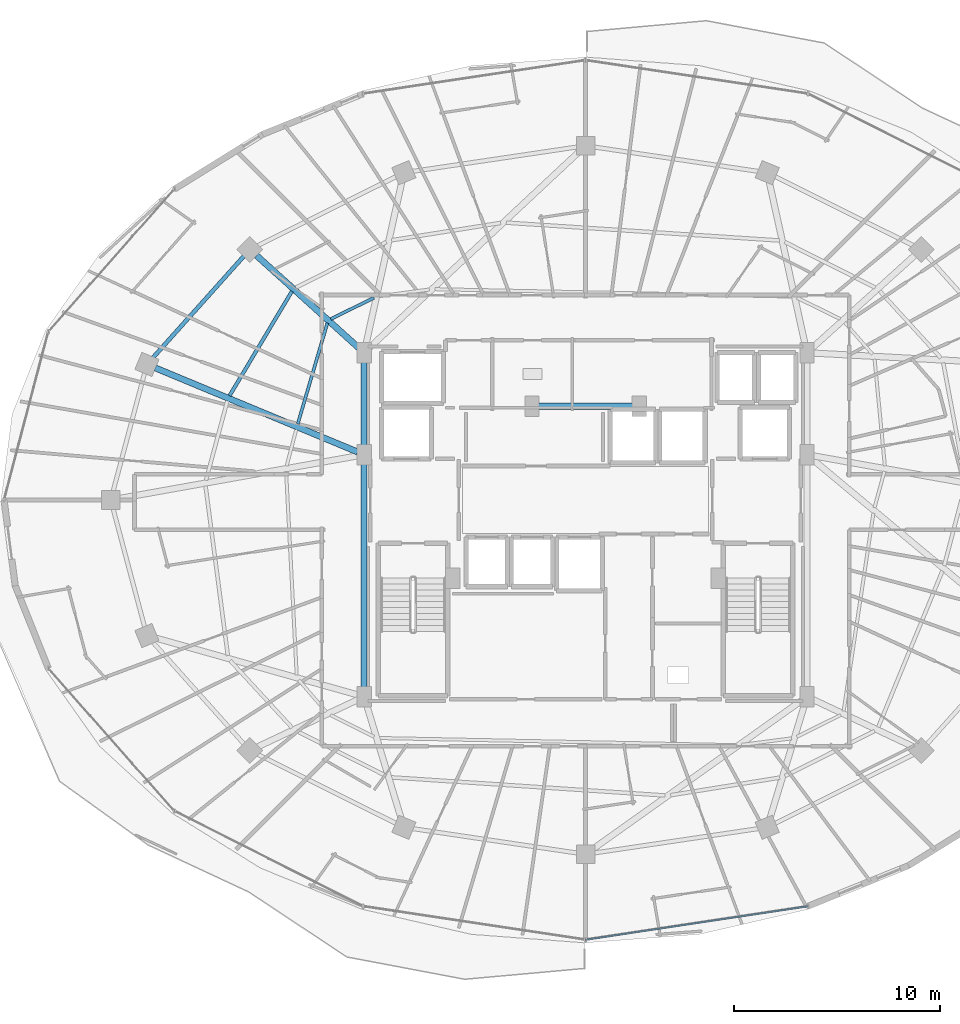
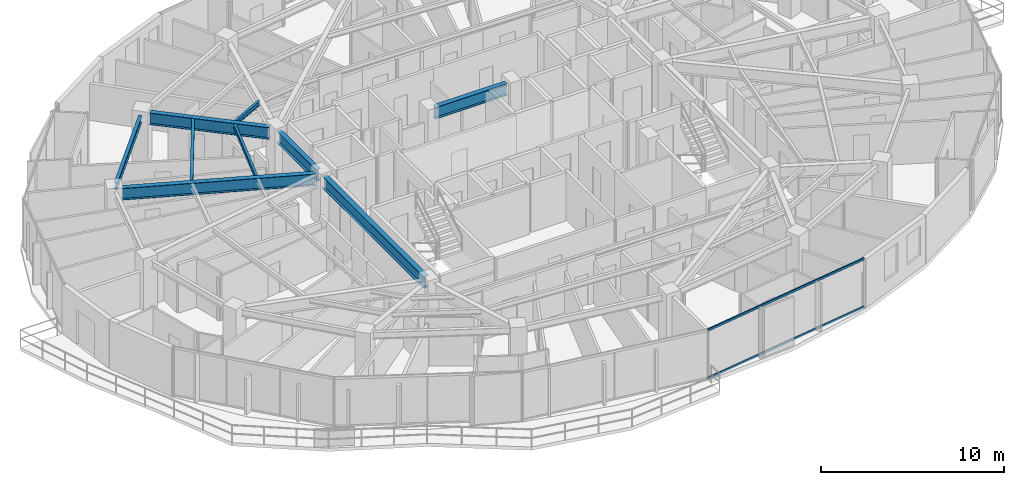
# One storey, part 10 of 33: 9 beams, 2 members, 1 element without a shape of its own.
"""IFC4 building model written with IfcOpenShell, lengths in metres."""

from ifc_helpers import new_model, si_unit, direction, frame, origin, origin_2d, place, context, subcontext, project, spatial, hollow_rectangle, i_section, extrude, material, material_profile, profile_set, type_object, element, aggregate, save


model = new_model("IFC4")

# Units and contexts
model_context = context("Model", 3, precision=1e-05, world=origin(), true_north=direction((0.0, 1.0)))
body_context = subcontext(model_context, "Body", "Model", "MODEL_VIEW")
ifc_project = project(units=[si_unit("LENGTHUNIT", "METRE"), si_unit("AREAUNIT", "SQUARE_METRE"), si_unit("VOLUMEUNIT", "CUBIC_METRE"), si_unit("PLANEANGLEUNIT", "RADIAN"), si_unit("MASSUNIT", "GRAM", prefix="KILO")], contexts=[model_context])

# Site, building, storey
site_placement = place(None, origin())
site = spatial("IfcSite", under=ifc_project, at=site_placement, CompositionType="ELEMENT")
building_placement = place(site_placement, origin())
building = spatial("IfcBuilding", under=site, at=building_placement, Name="Vorneva Point Tower", CompositionType="ELEMENT")
storey_placement = place(building_placement, frame((0.0, 0.0, 179.10009765625)))
storey = spatial("IfcBuildingStorey", under=building, at=storey_placement, Name="L48", CompositionType="ELEMENT", Elevation=179.10009765625)

# Beams
ifc_material_1 = material(Name="Steel S355", Category="steel")
ifc_material_profile_1 = material_profile(ifc_material_1, i_section(OverallWidth=0.300048828125, OverallDepth=0.7880859375, WebThickness=0.014404296875, FlangeThickness=0.02197265625, at=origin_2d()), Name="80Sh1")
ifc_profile_set_1 = profile_set([ifc_material_profile_1], Name="Steel S355")
beam_type_1 = type_object("IfcBeamType", Name="BM-GRD-80Sh1", PredefinedType="USERDEFINED", material=ifc_profile_set_1)
beam_1_placement = place(storey_placement, frame((22.026123046875, 37.86865234375, 2.845947265625), z_axis=(0.742089778537, -0.670300500217, 0.0), x_axis=(0.670300500217, 0.742089778537, 0.0)))
element("IfcBeam", 1, at=beam_1_placement, inside=storey, type_object=beam_type_1, Name="L48 Radial Primary Girder 07", ObjectType="GIRDER", PredefinedType="USERDEFINED", context=body_context, shape_type="SweptSolid", body=[
    extrude(i_section(OverallWidth=0.300048828125, OverallDepth=0.7880859375, WebThickness=0.014404296875, FlangeThickness=0.02197265625, at=origin_2d()), origin(), (0.0, 0.0, 1.0), 6.699462890625),
])
beam_2_placement = place(storey_placement, frame((17.109130859375, 32.4140625, 2.845947265625), z_axis=(0.923445067159, -0.383730645035, 0.0), x_axis=(0.383730645035, 0.923445067159, 0.0)))
element("IfcBeam", 2, at=beam_2_placement, inside=storey, type_object=beam_type_1, Name="L48 Radial Primary Girder 08", ObjectType="GIRDER", PredefinedType="USERDEFINED", context=body_context, shape_type="SweptSolid", body=[
    extrude(i_section(OverallWidth=0.300048828125, OverallDepth=0.7880859375, WebThickness=0.014404296875, FlangeThickness=0.02197265625, at=origin_2d()), origin(), (0.0, 0.0, 1.0), 10.6416015625),
])
beam_3_placement = place(storey_placement, frame((27.25, 16.77001953125, 2.845947265625), z_axis=(0.0, 1.0, 0.0), x_axis=(-1.0, 0.0, 0.0)))
element("IfcBeam", 3, at=beam_3_placement, inside=storey, type_object=beam_type_1, Name="L48 Core Tie Girder CT1", ObjectType="GIRDER", PredefinedType="USERDEFINED", context=body_context, shape_type="SweptSolid", body=[
    extrude(i_section(OverallWidth=0.300048828125, OverallDepth=0.7880859375, WebThickness=0.014404296875, FlangeThickness=0.02197265625, at=origin_2d()), origin(), (0.0, 0.0, 1.0), 11.10986328125),
])
beam_4_placement = place(storey_placement, frame((27.25, 28.52001953125, 2.845947265625), z_axis=(0.0, 1.0, 0.0), x_axis=(-1.0, 0.0, 0.0)))
element("IfcBeam", 4, at=beam_4_placement, inside=storey, type_object=beam_type_1, Name="L48 Core Tie Girder CT2", ObjectType="GIRDER", PredefinedType="USERDEFINED", context=body_context, shape_type="SweptSolid", body=[
    extrude(i_section(OverallWidth=0.300048828125, OverallDepth=0.7880859375, WebThickness=0.014404296875, FlangeThickness=0.02197265625, at=origin_2d()), origin(), (0.0, 0.0, 1.0), 4.31005859375),
])
beam_5_placement = place(storey_placement, frame((35.719970703125, 30.550048828125, 2.845947265625), z_axis=(1.0, 0.0, 0.0), x_axis=(0.0, 1.0, 0.0)))
element("IfcBeam", 5, at=beam_5_placement, inside=storey, type_object=beam_type_1, Name="L48 Core Tie Girder CT8", ObjectType="GIRDER", PredefinedType="USERDEFINED", context=body_context, shape_type="SweptSolid", body=[
    extrude(i_section(OverallWidth=0.300048828125, OverallDepth=0.7880859375, WebThickness=0.014404296875, FlangeThickness=0.02197265625, at=origin_2d()), origin(), (0.0, 0.0, 1.0), 4.56005859375),
])
ifc_material_profile_2 = material_profile(ifc_material_1, i_section(OverallWidth=0.14892578125, OverallDepth=0.298095703125, WebThickness=0.005615234375, FlangeThickness=0.008056640625, at=origin_2d()), Name="30B1")
ifc_profile_set_2 = profile_set([ifc_material_profile_2], Name="Steel S355")
beam_type_2 = type_object("IfcBeamType", Name="BM-JST-30B1", PredefinedType="JOIST", material=ifc_profile_set_2)
beam_6_placement = place(storey_placement, frame((27.727783203125, 35.8154296875, 3.0908203125), z_axis=(-0.897704429199, -0.440598181789, 0.0), x_axis=(0.440598181789, -0.897704429199, 0.0)))
element("IfcBeam", 6, at=beam_6_placement, inside=storey, type_object=beam_type_2, Name="L48 Secondary Floor Beam 2.06", PredefinedType="JOIST", context=body_context, shape_type="SweptSolid", body=[
    extrude(i_section(OverallWidth=0.14892578125, OverallDepth=0.298095703125, WebThickness=0.005615234375, FlangeThickness=0.008056640625, at=origin_2d()), origin(), (0.0, 0.0, 1.0), 2.336669921875),
])
beam_7_placement = place(storey_placement, frame((25.46728515625, 34.5927734375, 3.0908203125), z_axis=(-0.281778448701, -0.959479497357, 0.0), x_axis=(0.959479497357, -0.281778448701, 0.0)))
element("IfcBeam", 7, at=beam_7_placement, inside=storey, type_object=beam_type_2, Name="L48 Secondary Floor Beam 2.07", PredefinedType="JOIST", context=body_context, shape_type="SweptSolid", body=[
    extrude(i_section(OverallWidth=0.14892578125, OverallDepth=0.298095703125, WebThickness=0.005615234375, FlangeThickness=0.008056640625, at=origin_2d()), origin(), (0.0, 0.0, 1.0), 5.11181640625),
])
ifc_material_profile_3 = material_profile(ifc_material_1, i_section(OverallWidth=0.174072265625, OverallDepth=0.345947265625, WebThickness=0.006103515625, FlangeThickness=0.009033203125, at=origin_2d()), Name="35B1")
ifc_profile_set_3 = profile_set([ifc_material_profile_3], Name="Steel S355")
beam_type_3 = type_object("IfcBeamType", Name="BM-SEC-35B1", PredefinedType="BEAM", material=ifc_profile_set_3)
beam_8_placement = place(storey_placement, frame((23.7451171875, 36.133544921875, 3.06689453125), z_axis=(-0.512622198489, -0.858614279882, 0.0), x_axis=(0.858614279882, -0.512622198489, 0.0)))
element("IfcBeam", 8, at=beam_8_placement, inside=storey, type_object=beam_type_3, Name="L48 Secondary Floor Beam 1.07", PredefinedType="BEAM", context=body_context, shape_type="SweptSolid", body=[
    extrude(i_section(OverallWidth=0.174072265625, OverallDepth=0.345947265625, WebThickness=0.006103515625, FlangeThickness=0.009033203125, at=origin_2d()), origin(), (0.0, 0.0, 1.0), 5.906005859375),
])
ifc_material_profile_4 = material_profile(ifc_material_1, i_section(OverallWidth=0.198974609375, OverallDepth=0.446044921875, WebThickness=0.008056640625, FlangeThickness=0.011962890625, at=origin_2d()), Name="45B1")
ifc_profile_set_4 = profile_set([ifc_material_profile_4], Name="Steel S355")
beam_type_4 = type_object("IfcBeamType", Name="BM-SPN-45B1", PredefinedType="SPANDREL", material=ifc_profile_set_4)
beam_9_placement = place(storey_placement, frame((21.410888671875, 37.838134765625, 3.016845703125), z_axis=(-0.66706970547, -0.744995307397, 0.0), x_axis=(0.744995307397, -0.66706970547, 0.0)))
element("IfcBeam", 9, at=beam_9_placement, inside=storey, type_object=beam_type_4, Name="L48 Perimeter Spandrel Ring Beam 07", PredefinedType="SPANDREL", context=body_context, shape_type="SweptSolid", body=[
    extrude(i_section(OverallWidth=0.198974609375, OverallDepth=0.446044921875, WebThickness=0.008056640625, FlangeThickness=0.011962890625, at=origin_2d()), origin(), (0.0, 0.0, 1.0), 6.6201171875),
])

# Curtain wall, members
ifc_material_2 = material(Name="Pale anodised aluminium", Category="aluminium")
curtain_wall_type = type_object("IfcCurtainWallType", Name="CW-RES-SYS", PredefinedType="NOTDEFINED", material=ifc_material_2)
curtain_wall_placement = place(storey_placement, origin())
curtain_wall = element("IfcCurtainWall", 10, at=curtain_wall_placement, inside=storey, type_object=curtain_wall_type, Name="L48 Unitised Curtain Wall CW-L48-R03", PredefinedType="NOTDEFINED")
ifc_material_profile_5 = material_profile(ifc_material_2, hollow_rectangle(XDim=0.074951171875, YDim=0.14990234375, WallThickness=0.00390625, at=origin_2d()), Name="AL-TRN 150x75x4")
ifc_profile_set_5 = profile_set([ifc_material_profile_5], Name="Pale anodised aluminium")
member_type = type_object("IfcMemberType", Name="CW-TRN-150", PredefinedType="USERDEFINED", material=ifc_profile_set_5)
member_1_placement = place(storey_placement, frame((38.0, 4.64990234375, 0.02001953125), z_axis=(0.988872333273, 0.148766624239, 0.0), x_axis=(-0.148766624239, 0.988872333273, 0.0)))
member_1 = element("IfcMember", 11, at=member_1_placement, type_object=member_type, Name="CW-L48-R03 Transom 04.1", ObjectType="TRANSOM", PredefinedType="USERDEFINED", context=body_context, shape_type="SweptSolid", body=[
    extrude(hollow_rectangle(XDim=0.074951171875, YDim=0.14990234375, WallThickness=0.00390625, at=origin_2d()), origin(), (0.0, 0.0, 1.0), 10.9248046875),
])
member_2_placement = place(storey_placement, frame((38.0, 4.64990234375, 3.219970703125), z_axis=(0.988872333273, 0.148766624239, 0.0), x_axis=(-0.148766624239, 0.988872333273, 0.0)))
member_2 = element("IfcMember", 12, at=member_2_placement, type_object=member_type, Name="CW-L48-R03 Transom 04.2", ObjectType="TRANSOM", PredefinedType="USERDEFINED", context=body_context, shape_type="SweptSolid", body=[
    extrude(hollow_rectangle(XDim=0.074951171875, YDim=0.14990234375, WallThickness=0.00390625, at=origin_2d()), origin(), (0.0, 0.0, 1.0), 10.9248046875),
])
aggregate(curtain_wall, [member_1, member_2])

save(model, "model.ifc")
